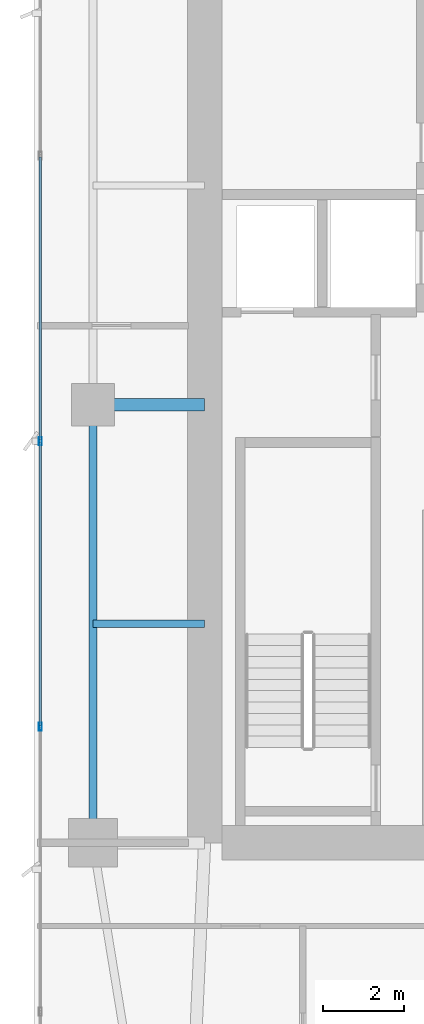
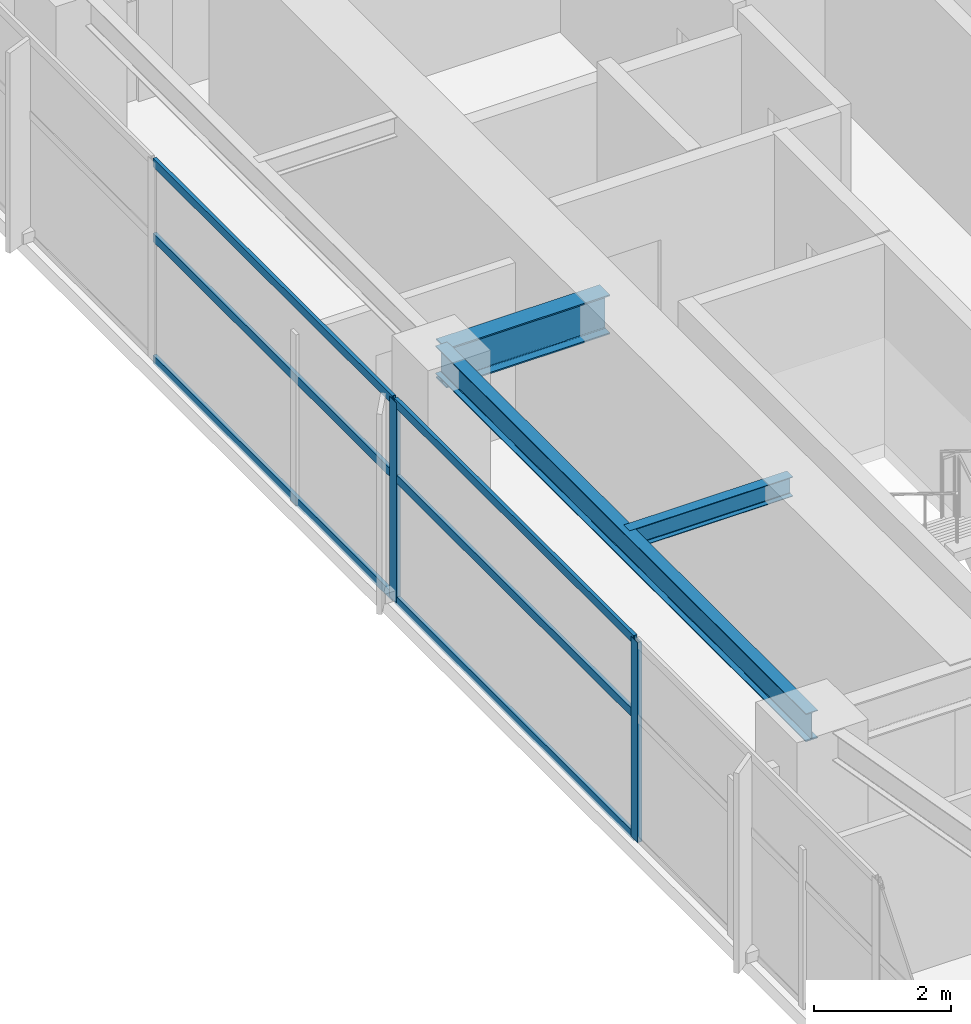
# One storey, part 8 of 28: 8 members, 3 beams, 1 element without a shape of its own.
"""IFC4 building model written with IfcOpenShell, lengths in metres."""

from ifc_helpers import new_model, si_unit, direction, frame, origin, origin_2d, place, context, subcontext, project, spatial, hollow_rectangle, i_section, extrude, material, layer, layer_set, material_profile, profile_set, type_object, element, aggregate, save


model = new_model("IFC4")

# Units and contexts
model_context = context("Model", 3, precision=1e-05, world=origin(), true_north=direction((0.0, 1.0)))
body_context = subcontext(model_context, "Body", "Model", "MODEL_VIEW")
ifc_project = project(units=[si_unit("LENGTHUNIT", "METRE"), si_unit("AREAUNIT", "SQUARE_METRE"), si_unit("VOLUMEUNIT", "CUBIC_METRE"), si_unit("PLANEANGLEUNIT", "RADIAN"), si_unit("MASSUNIT", "GRAM", prefix="KILO")], contexts=[model_context])

# Site, building, storey
site_placement = place(None, origin())
site = spatial("IfcSite", under=ifc_project, at=site_placement, CompositionType="ELEMENT")
building_placement = place(site_placement, origin())
building = spatial("IfcBuilding", under=site, at=building_placement, Name="Calvorn Quay Hotel", CompositionType="ELEMENT")
storey_placement = place(building_placement, frame((0.0, 0.0, 101.199951171875)))
storey = spatial("IfcBuildingStorey", under=building, at=storey_placement, Name="L24", CompositionType="ELEMENT", Elevation=101.199951171875)

# Beams
ifc_material_1 = material(Name="Steel Q390GJC", Category="steel")
ifc_material_profile_1 = material_profile(ifc_material_1, i_section(OverallWidth=0.300048828125, OverallDepth=0.699951171875, WebThickness=0.012939453125, FlangeThickness=0.02392578125, FilletRadius=0.02392578125, at=origin_2d()), Name="HN700x300x13x24")
ifc_profile_set_1 = profile_set([ifc_material_profile_1], Name="Steel Q390GJC")
beam_type_1 = type_object("IfcBeamType", Name="BM-GIRD-MAIN", PredefinedType="BEAM", material=ifc_profile_set_1)
beam_1_placement = place(storey_placement, frame((1.449951171875, 27.60009765625, 3.18994140625), z_axis=(1.0, 0.0, 0.0), x_axis=(0.0, 1.0, 0.0)))
element("IfcBeam", 1, at=beam_1_placement, inside=storey, type_object=beam_type_1, Name="Beam BG-L24-W2", PredefinedType="BEAM", context=body_context, shape_type="SweptSolid", body=[
    extrude(i_section(OverallWidth=0.300048828125, OverallDepth=0.699951171875, WebThickness=0.012939453125, FlangeThickness=0.02392578125, FilletRadius=0.02392578125, at=origin_2d()), origin(), (0.0, 0.0, 1.0), 2.75),
])
ifc_material_2 = material(Name="Steel Q355B", Category="steel")
ifc_material_profile_2 = material_profile(ifc_material_2, i_section(OverallWidth=0.175048828125, OverallDepth=0.35009765625, WebThickness=0.007080078125, FlangeThickness=0.010986328125, FilletRadius=0.013916015625, at=origin_2d()), Name="HN350x175x7x11")
ifc_profile_set_2 = profile_set([ifc_material_profile_2], Name="Steel Q355B")
beam_type_2 = type_object("IfcBeamType", Name="BM-JOIST-SEC", PredefinedType="JOIST", material=ifc_profile_set_2)
beam_2_placement = place(storey_placement, frame((1.449951171875, 22.199951171875, 3.364990234375), z_axis=(1.0, 0.0, 0.0), x_axis=(0.0, 1.0, 0.0)))
element("IfcBeam", 2, at=beam_2_placement, inside=storey, type_object=beam_type_2, Name="Beam BJ-L24-W3", PredefinedType="JOIST", context=body_context, shape_type="SweptSolid", body=[
    extrude(i_section(OverallWidth=0.175048828125, OverallDepth=0.35009765625, WebThickness=0.007080078125, FlangeThickness=0.010986328125, FilletRadius=0.013916015625, at=origin_2d()), origin(), (0.0, 0.0, 1.0), 2.75),
])
ifc_material_3 = material(Name="Steel Q355B", Category="steel")
ifc_material_profile_3 = material_profile(ifc_material_3, i_section(OverallWidth=0.199951171875, OverallDepth=0.5, WebThickness=0.010009765625, FlangeThickness=0.01611328125, FilletRadius=0.01611328125, at=origin_2d()), Name="HN500x200x10x16")
ifc_profile_set_3 = profile_set([ifc_material_profile_3], Name="Steel Q355B")
beam_type_3 = type_object("IfcBeamType", Name="BM-SPANDREL-Z1", PredefinedType="SPANDREL", material=ifc_profile_set_3)
beam_3_placement = place(storey_placement, frame((1.449951171875, 16.800048828125, 3.2900390625), z_axis=(0.0, 1.0, 0.0), x_axis=(-1.0, 0.0, 0.0)))
element("IfcBeam", 3, at=beam_3_placement, inside=storey, type_object=beam_type_3, Name="Beam BSP-L24-W2", PredefinedType="SPANDREL", context=body_context, shape_type="SweptSolid", body=[
    extrude(i_section(OverallWidth=0.199951171875, OverallDepth=0.5, WebThickness=0.010009765625, FlangeThickness=0.01611328125, FilletRadius=0.01611328125, at=origin_2d()), origin(), (0.0, 0.0, 1.0), 10.800048828125),
])

# Curtain wall, members
ifc_material_4 = material(Name="Pale Anodised Aluminium and Low-E Glass", Category="aluminium")
ifc_layer = layer(ifc_material_4, 0.219970703125)
ifc_layer_set = layer_set([ifc_layer], Name="CW-SYS-Z2")
curtain_wall_type = type_object("IfcCurtainWallType", Name="CW-SYS-Z2", PredefinedType="NOTDEFINED", material=ifc_layer_set)
curtain_wall_placement = place(storey_placement, origin())
curtain_wall = element("IfcCurtainWall", 4, at=curtain_wall_placement, inside=storey, type_object=curtain_wall_type, Name="Tower West Curtain Wall (L24)", PredefinedType="NOTDEFINED")
ifc_material_5 = material(Name="Pale Anodised Aluminium 6063-T6", Category="aluminium")
ifc_material_profile_4 = material_profile(ifc_material_5, hollow_rectangle(XDim=0.070068359375, YDim=0.199951171875, WallThickness=0.00390625, at=origin_2d()), Name="ALU-M200x70x4")
ifc_profile_set_4 = profile_set([ifc_material_profile_4], Name="Pale Anodised Aluminium 6063-T6")
member_type_1 = type_object("IfcMemberType", Name="CW-SYS-Z2-MUL", PredefinedType="MULLION", material=ifc_profile_set_4)
member_1_placement = place(storey_placement, frame((0.14990234375, 19.666748046875, 0.0), z_axis=(0.0, 0.0, 1.0), x_axis=(-1.0, 0.0, 0.0)))
member_1 = element("IfcMember", 5, at=member_1_placement, type_object=member_type_1, Name="CW-L24-W mullion 3", PredefinedType="MULLION", context=body_context, shape_type="SweptSolid", body=[
    extrude(hollow_rectangle(XDim=0.070068359375, YDim=0.199951171875, WallThickness=0.00390625, at=origin_2d()), origin(), (0.0, 0.0, 1.0), 3.56005859375),
])
member_2_placement = place(storey_placement, frame((0.14990234375, 26.699951171875, 0.0), z_axis=(0.0, 0.0, 1.0), x_axis=(-1.0, 0.0, 0.0)))
member_2 = element("IfcMember", 6, at=member_2_placement, type_object=member_type_1, Name="CW-L24-W mullion 4", PredefinedType="MULLION", context=body_context, shape_type="SweptSolid", body=[
    extrude(hollow_rectangle(XDim=0.070068359375, YDim=0.199951171875, WallThickness=0.00390625, at=origin_2d()), origin(), (0.0, 0.0, 1.0), 3.56005859375),
])
ifc_material_6 = material(Name="Pale Anodised Aluminium 6063-T6", Category="aluminium")
ifc_material_profile_5 = material_profile(ifc_material_6, hollow_rectangle(XDim=0.06005859375, YDim=0.14990234375, WallThickness=0.00341796875, at=origin_2d()), Name="ALU-T150x60x3.5")
ifc_profile_set_5 = profile_set([ifc_material_profile_5], Name="Pale Anodised Aluminium 6063-T6")
member_type_2 = type_object("IfcMemberType", Name="CW-SYS-Z2-TRN", PredefinedType="USERDEFINED", material=ifc_profile_set_5)
member_3_placement = place(storey_placement, frame((0.14990234375, 19.69677734375, 0.030029296875), z_axis=(0.0, 1.0, 0.0), x_axis=(-1.0, 0.0, 0.0)))
member_3 = element("IfcMember", 7, at=member_3_placement, type_object=member_type_2, Name="CW-L24-W transom 3.1", ObjectType="TRANSOM", PredefinedType="USERDEFINED", context=body_context, shape_type="SweptSolid", body=[
    extrude(hollow_rectangle(XDim=0.06005859375, YDim=0.14990234375, WallThickness=0.00341796875, at=origin_2d()), origin(), (0.0, 0.0, 1.0), 6.97314453125),
])
member_4_placement = place(storey_placement, frame((0.14990234375, 19.69677734375, 2.199951171875), z_axis=(0.0, 1.0, 0.0), x_axis=(-1.0, 0.0, 0.0)))
member_4 = element("IfcMember", 8, at=member_4_placement, type_object=member_type_2, Name="CW-L24-W transom 3.2", ObjectType="TRANSOM", PredefinedType="USERDEFINED", context=body_context, shape_type="SweptSolid", body=[
    extrude(hollow_rectangle(XDim=0.06005859375, YDim=0.14990234375, WallThickness=0.00341796875, at=origin_2d()), origin(), (0.0, 0.0, 1.0), 6.97314453125),
])
member_5_placement = place(storey_placement, frame((0.14990234375, 19.69677734375, 3.530029296875), z_axis=(0.0, 1.0, 0.0), x_axis=(-1.0, 0.0, 0.0)))
member_5 = element("IfcMember", 9, at=member_5_placement, type_object=member_type_2, Name="CW-L24-W transom 3.3", ObjectType="TRANSOM", PredefinedType="USERDEFINED", context=body_context, shape_type="SweptSolid", body=[
    extrude(hollow_rectangle(XDim=0.06005859375, YDim=0.14990234375, WallThickness=0.00341796875, at=origin_2d()), origin(), (0.0, 0.0, 1.0), 6.97314453125),
])
member_6_placement = place(storey_placement, frame((0.14990234375, 26.72998046875, 0.030029296875), z_axis=(0.0, 1.0, 0.0), x_axis=(-1.0, 0.0, 0.0)))
member_6 = element("IfcMember", 10, at=member_6_placement, type_object=member_type_2, Name="CW-L24-W transom 4.1", ObjectType="TRANSOM", PredefinedType="USERDEFINED", context=body_context, shape_type="SweptSolid", body=[
    extrude(hollow_rectangle(XDim=0.06005859375, YDim=0.14990234375, WallThickness=0.00341796875, at=origin_2d()), origin(), (0.0, 0.0, 1.0), 6.973388671875),
])
member_7_placement = place(storey_placement, frame((0.14990234375, 26.72998046875, 2.199951171875), z_axis=(0.0, 1.0, 0.0), x_axis=(-1.0, 0.0, 0.0)))
member_7 = element("IfcMember", 11, at=member_7_placement, type_object=member_type_2, Name="CW-L24-W transom 4.2", ObjectType="TRANSOM", PredefinedType="USERDEFINED", context=body_context, shape_type="SweptSolid", body=[
    extrude(hollow_rectangle(XDim=0.06005859375, YDim=0.14990234375, WallThickness=0.00341796875, at=origin_2d()), origin(), (0.0, 0.0, 1.0), 6.973388671875),
])
member_8_placement = place(storey_placement, frame((0.14990234375, 26.72998046875, 3.530029296875), z_axis=(0.0, 1.0, 0.0), x_axis=(-1.0, 0.0, 0.0)))
member_8 = element("IfcMember", 12, at=member_8_placement, type_object=member_type_2, Name="CW-L24-W transom 4.3", ObjectType="TRANSOM", PredefinedType="USERDEFINED", context=body_context, shape_type="SweptSolid", body=[
    extrude(hollow_rectangle(XDim=0.06005859375, YDim=0.14990234375, WallThickness=0.00341796875, at=origin_2d()), origin(), (0.0, 0.0, 1.0), 6.973388671875),
])
aggregate(curtain_wall, [member_1, member_2, member_3, member_4, member_5, member_6, member_7, member_8])

save(model, "model.ifc")
